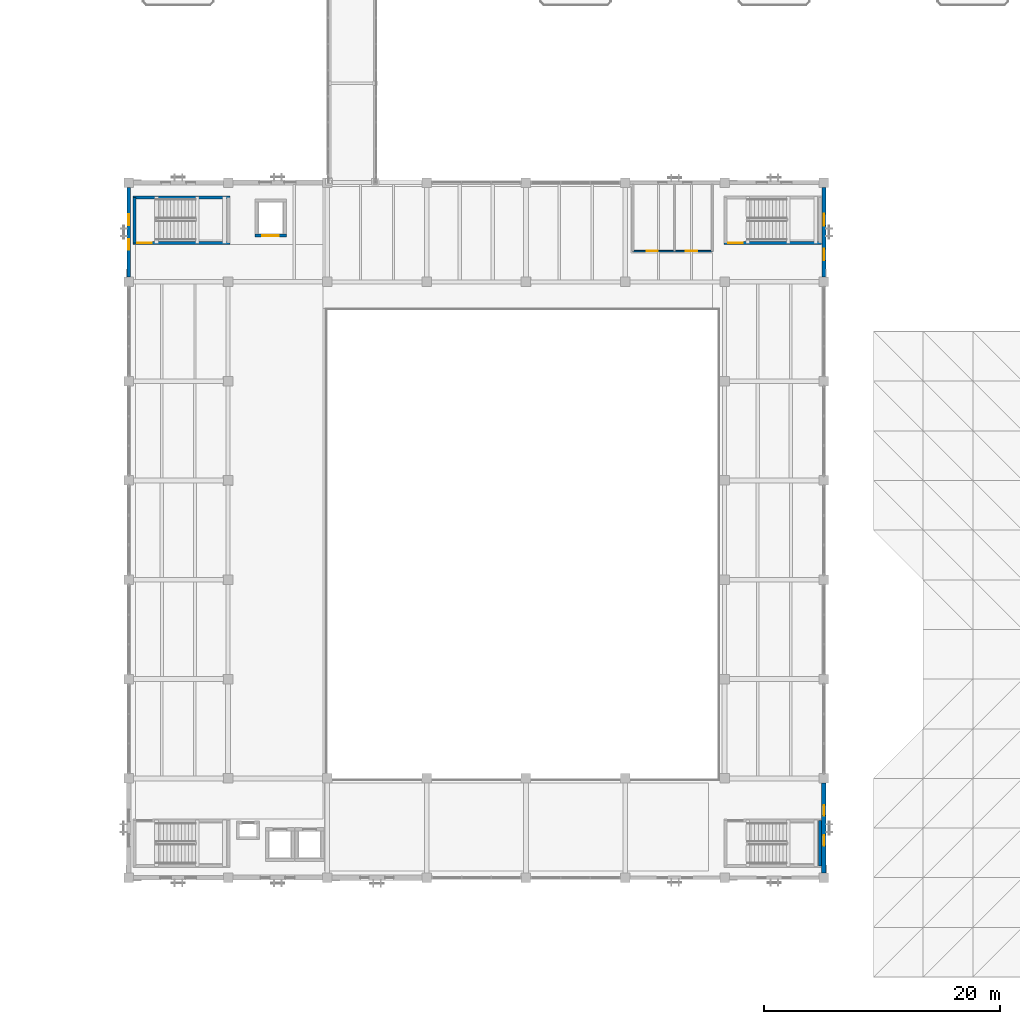
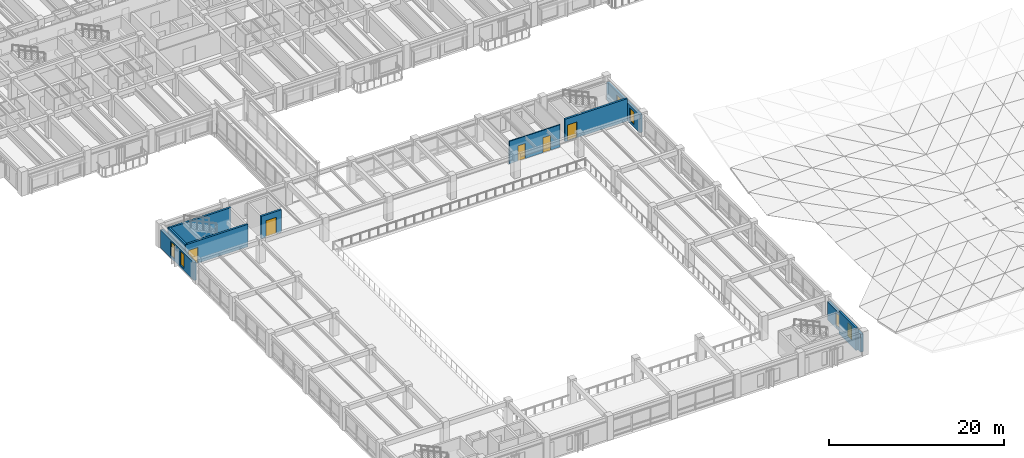
# One storey, part 82 of 123: 10 walls, 6 windows, 5 doors, 11 openings.
"""IFC4 building model written with IfcOpenShell, lengths in metres."""

from ifc_helpers import new_model, si_unit, direction, frame, frame_2d, origin, place, context, subcontext, project, spatial, rectangle, extrude, material, layer, layer_set, type_object, element, fill, save


model = new_model("IFC4")

# Units and contexts
model_context = context("Model", 3, precision=1e-05, world=origin(), true_north=direction((0.0, 1.0)))
body_context = subcontext(model_context, "Body", "Model", "MODEL_VIEW")
ifc_project = project(units=[si_unit("LENGTHUNIT", "METRE"), si_unit("AREAUNIT", "SQUARE_METRE"), si_unit("VOLUMEUNIT", "CUBIC_METRE"), si_unit("PLANEANGLEUNIT", "RADIAN"), si_unit("MASSUNIT", "GRAM", prefix="KILO")], contexts=[model_context])

# Site, building, storey
site_placement = place(None, origin())
site = spatial("IfcSite", under=ifc_project, at=site_placement, CompositionType="ELEMENT")
building_placement = place(site_placement, origin())
building = spatial("IfcBuilding", under=site, at=building_placement, Name="Cumbredor Promenade Congress Hotel", CompositionType="ELEMENT")
storey_placement = place(building_placement, frame((0.0, 0.0, 11.760009765625)))
storey = spatial("IfcBuildingStorey", under=building, at=storey_placement, Name="L03", CompositionType="ELEMENT", Elevation=11.760009765625)

# Wall, openings, windows
ifc_material_1 = material(Name="Concrete C40/50", Category="concrete")
ifc_layer_1 = layer(ifc_material_1, 0.324951171875, Name="Concrete C40/50", Category="concrete")
ifc_layer_set_1 = layer_set([ifc_layer_1], Name="Concrete C40/50")
wall_type_1 = type_object("IfcWallType", Name="WL-EXT-325", PredefinedType="SOLIDWALL", material=ifc_layer_set_1)
wall_1_placement = place(storey_placement, frame((8.39990234375, 59.200927734375, 0.0), z_axis=(0.0, 0.0, 1.0), x_axis=(0.0, 1.0, 0.0)))
wall_1 = element("IfcWall", 1, at=wall_1_placement, inside=storey, type_object=wall_type_1, Name="L03 Plenary Congress Hall West Envelope Wall 7", PredefinedType="SOLIDWALL", context=body_context, shape_type="SweptSolid", body=[
    extrude(rectangle(XDim=7.59814453125, YDim=0.324951171875, at=frame_2d((3.799072265625, 0.0))), origin(), (0.0, 0.0, 1.0), 2.493896484375),
])
opening_1_placement = place(wall_1_placement, frame((2.299072265625, 0.0, 0.300048828125)))
opening_1 = element("IfcOpeningElement", 2, at=opening_1_placement, cuts=wall_1, Name="Opening WN-52", PredefinedType="OPENING", context=body_context, shape_type="SweptSolid", body=[
    extrude(rectangle(XDim=0.89990234375, YDim=1.949951171875, at=frame_2d((0.449951171875, 0.97509765625))), frame((0.0, 0.17236328125, 0.0), z_axis=(0.0, -1.0, 0.0), x_axis=(1.0, 0.0, 0.0)), (0.0, 0.0, 1.0), 0.344970703125),
])
opening_2_placement = place(wall_1_placement, frame((4.39892578125, 0.0, 0.300048828125)))
opening_2 = element("IfcOpeningElement", 3, at=opening_2_placement, cuts=wall_1, Name="Opening WN-52", PredefinedType="OPENING", context=body_context, shape_type="SweptSolid", body=[
    extrude(rectangle(XDim=0.89990234375, YDim=1.949951171875, at=frame_2d((0.449951171875, 0.97509765625))), frame((0.0, 0.17236328125, 0.0), z_axis=(0.0, -1.0, 0.0), x_axis=(1.0, 0.0, 0.0)), (0.0, 0.0, 1.0), 0.344970703125),
])
ifc_material_2 = material(Name="Thermally broken anodized aluminium and low-E glass", Category="aluminium")
window_type_1 = type_object("IfcWindowType", Name="Vertical Slot Window WN-52 900x1950", PartitioningType="SINGLE_PANEL", PredefinedType="WINDOW", material=ifc_material_2)
window_1_placement = place(opening_1_placement, origin())
window_1 = element("IfcWindow", 4, at=window_1_placement, inside=storey, type_object=window_type_1, Name="L03 Vertical Slot Window 0356", OverallHeight=1.949951171875, OverallWidth=0.89990234375, PartitioningType="SINGLE_PANEL", PredefinedType="WINDOW", context=body_context, shape_type="SweptSolid", body=[
    extrude(rectangle(XDim=0.89990234375, YDim=1.949951171875, at=frame_2d((0.449951171875, 0.97509765625))), frame((0.0, 0.030029296875, 0.0), z_axis=(0.0, -1.0, 0.0), x_axis=(1.0, 0.0, 0.0)), (0.0, 0.0, 1.0), 0.06005859375),
])
fill(opening_1, window_1)
window_2_placement = place(opening_2_placement, origin())
window_2 = element("IfcWindow", 5, at=window_2_placement, inside=storey, type_object=window_type_1, Name="L03 Vertical Slot Window 0357", OverallHeight=1.949951171875, OverallWidth=0.89990234375, PartitioningType="SINGLE_PANEL", PredefinedType="WINDOW", context=body_context, shape_type="SweptSolid", body=[
    extrude(rectangle(XDim=0.89990234375, YDim=1.949951171875, at=frame_2d((0.449951171875, 0.97509765625))), frame((0.0, 0.030029296875, 0.0), z_axis=(0.0, -1.0, 0.0), x_axis=(1.0, 0.0, 0.0)), (0.0, 0.0, 1.0), 0.06005859375),
])
fill(opening_2, window_2)

wall_2_placement = place(storey_placement, frame((67.199951171875, 59.200927734375, 0.0), z_axis=(0.0, 0.0, 1.0), x_axis=(0.0, 1.0, 0.0)))
wall_2 = element("IfcWall", 6, at=wall_2_placement, inside=storey, type_object=wall_type_1, Name="L03 Plenary Congress Hall East Envelope Wall 7", PredefinedType="SOLIDWALL", context=body_context, shape_type="SweptSolid", body=[
    extrude(rectangle(XDim=7.59814453125, YDim=0.324951171875, at=frame_2d((3.799072265625, 0.0))), origin(), (0.0, 0.0, 1.0), 2.493896484375),
])
opening_3_placement = place(wall_2_placement, frame((1.408935546875, 0.0, 0.300048828125)))
opening_3 = element("IfcOpeningElement", 7, at=opening_3_placement, cuts=wall_2, Name="Opening WN-64", PredefinedType="OPENING", context=body_context, shape_type="SweptSolid", body=[
    extrude(rectangle(XDim=0.97998046875, YDim=1.75, at=frame_2d((0.489990234375, 0.875))), frame((0.0, 0.17236328125, 0.0), z_axis=(0.0, -1.0, 0.0), x_axis=(1.0, 0.0, 0.0)), (0.0, 0.0, 1.0), 0.344970703125),
])
opening_4_placement = place(wall_2_placement, frame((4.35888671875, 0.0, 0.300048828125)))
opening_4 = element("IfcOpeningElement", 8, at=opening_4_placement, cuts=wall_2, Name="Opening WN-64", PredefinedType="OPENING", context=body_context, shape_type="SweptSolid", body=[
    extrude(rectangle(XDim=0.97998046875, YDim=1.75, at=frame_2d((0.489990234375, 0.875))), frame((0.0, 0.17236328125, 0.0), z_axis=(0.0, -1.0, 0.0), x_axis=(1.0, 0.0, 0.0)), (0.0, 0.0, 1.0), 0.344970703125),
])
window_type_2 = type_object("IfcWindowType", Name="Vertical Slot Window WN-64 980x1750", PartitioningType="SINGLE_PANEL", PredefinedType="WINDOW", material=ifc_material_2)
window_3_placement = place(opening_3_placement, origin())
window_3 = element("IfcWindow", 9, at=window_3_placement, inside=storey, type_object=window_type_2, Name="L03 Vertical Slot Window 0360", OverallHeight=1.75, OverallWidth=0.97998046875, PartitioningType="SINGLE_PANEL", PredefinedType="WINDOW", context=body_context, shape_type="SweptSolid", body=[
    extrude(rectangle(XDim=0.97998046875, YDim=1.75, at=frame_2d((0.489990234375, 0.875))), frame((0.0, 0.030029296875, 0.0), z_axis=(0.0, -1.0, 0.0), x_axis=(1.0, 0.0, 0.0)), (0.0, 0.0, 1.0), 0.06005859375),
])
fill(opening_3, window_3)
window_4_placement = place(opening_4_placement, origin())
window_4 = element("IfcWindow", 10, at=window_4_placement, inside=storey, type_object=window_type_2, Name="L03 Vertical Slot Window 0361", OverallHeight=1.75, OverallWidth=0.97998046875, PartitioningType="SINGLE_PANEL", PredefinedType="WINDOW", context=body_context, shape_type="SweptSolid", body=[
    extrude(rectangle(XDim=0.97998046875, YDim=1.75, at=frame_2d((0.489990234375, 0.875))), frame((0.0, 0.030029296875, 0.0), z_axis=(0.0, -1.0, 0.0), x_axis=(1.0, 0.0, 0.0)), (0.0, 0.0, 1.0), 0.06005859375),
])
fill(opening_4, window_4)

ifc_layer_2 = layer(ifc_material_1, 0.3798828125, Name="Concrete C40/50", Category="concrete")
ifc_layer_set_2 = layer_set([ifc_layer_2], Name="Concrete C40/50")
wall_type_2 = type_object("IfcWallType", Name="WL-EXT-380", PredefinedType="SOLIDWALL", material=ifc_layer_set_2)
wall_3_placement = place(storey_placement, frame((67.199951171875, 8.801025390625, 0.0), z_axis=(0.0, 0.0, 1.0), x_axis=(0.0, 1.0, 0.0)))
wall_3 = element("IfcWall", 11, at=wall_3_placement, inside=storey, type_object=wall_type_2, Name="L03 Plenary Congress Hall East Envelope Wall 1", PredefinedType="SOLIDWALL", context=body_context, shape_type="SweptSolid", body=[
    extrude(rectangle(XDim=7.597900390625, YDim=0.3798828125, at=frame_2d((3.798828125, 0.0))), origin(), (0.0, 0.0, 1.0), 2.493896484375),
])
opening_5_placement = place(wall_3_placement, frame((2.299072265625, 0.0, 0.300048828125)))
opening_5 = element("IfcOpeningElement", 12, at=opening_5_placement, cuts=wall_3, Name="Opening WN-48", PredefinedType="OPENING", context=body_context, shape_type="SweptSolid", body=[
    extrude(rectangle(XDim=0.89990234375, YDim=1.85009765625, at=frame_2d((0.449951171875, 0.925048828125))), frame((0.0, 0.199951171875, 0.0), z_axis=(0.0, -1.0, 0.0), x_axis=(1.0, 0.0, 0.0)), (0.0, 0.0, 1.0), 0.39990234375),
])
opening_6_placement = place(wall_3_placement, frame((4.84912109375, 0.0, 0.300048828125)))
opening_6 = element("IfcOpeningElement", 13, at=opening_6_placement, cuts=wall_3, Name="Opening WN-48", PredefinedType="OPENING", context=body_context, shape_type="SweptSolid", body=[
    extrude(rectangle(XDim=0.89990234375, YDim=1.85009765625, at=frame_2d((0.449951171875, 0.925048828125))), frame((0.0, 0.199951171875, 0.0), z_axis=(0.0, -1.0, 0.0), x_axis=(1.0, 0.0, 0.0)), (0.0, 0.0, 1.0), 0.39990234375),
])
window_type_3 = type_object("IfcWindowType", Name="Vertical Slot Window WN-48 900x1850", PartitioningType="SINGLE_PANEL", PredefinedType="WINDOW", material=ifc_material_2)
window_5_placement = place(opening_5_placement, origin())
window_5 = element("IfcWindow", 14, at=window_5_placement, inside=storey, type_object=window_type_3, Name="L03 Vertical Slot Window 0358", OverallHeight=1.85009765625, OverallWidth=0.89990234375, PartitioningType="SINGLE_PANEL", PredefinedType="WINDOW", context=body_context, shape_type="SweptSolid", body=[
    extrude(rectangle(XDim=0.89990234375, YDim=1.85009765625, at=frame_2d((0.449951171875, 0.925048828125))), frame((0.0, 0.030029296875, 0.0), z_axis=(0.0, -1.0, 0.0), x_axis=(1.0, 0.0, 0.0)), (0.0, 0.0, 1.0), 0.06005859375),
])
fill(opening_5, window_5)
window_6_placement = place(opening_6_placement, origin())
window_6 = element("IfcWindow", 15, at=window_6_placement, inside=storey, type_object=window_type_3, Name="L03 Vertical Slot Window 0359", OverallHeight=1.85009765625, OverallWidth=0.89990234375, PartitioningType="SINGLE_PANEL", PredefinedType="WINDOW", context=body_context, shape_type="SweptSolid", body=[
    extrude(rectangle(XDim=0.89990234375, YDim=1.85009765625, at=frame_2d((0.449951171875, 0.925048828125))), frame((0.0, 0.030029296875, 0.0), z_axis=(0.0, -1.0, 0.0), x_axis=(1.0, 0.0, 0.0)), (0.0, 0.0, 1.0), 0.06005859375),
])
fill(opening_6, window_6)

# Wall, openings, doors
ifc_material_3 = material(Name="Acoustic gypsum partition on steel studs", Category="steel")
ifc_layer_3 = layer(ifc_material_3, 0.139892578125, Name="Acoustic gypsum partition on steel studs", Category="steel")
ifc_layer_set_3 = layer_set([ifc_layer_3], Name="Acoustic gypsum partition on steel studs")
wall_type_3 = type_object("IfcWallType", Name="WL-PART-140", PredefinedType="PARTITIONING", material=ifc_layer_set_3)
wall_4_placement = place(storey_placement, frame((51.050048828125, 61.39990234375, 0.0), z_axis=(0.0, 0.0, 1.0), x_axis=(1.0, 0.0, 0.0)))
wall_4 = element("IfcWall", 16, at=wall_4_placement, inside=storey, type_object=wall_type_3, Name="L03 Interior Partition W-L03-V1-WC", PredefinedType="PARTITIONING", context=body_context, shape_type="SweptSolid", body=[
    extrude(rectangle(XDim=6.699951171875, YDim=0.139892578125, at=frame_2d((3.35009765625, 0.0))), origin(), (0.0, 0.0, 1.0), 3.119873046875),
])
opening_7_placement = place(wall_4_placement, frame((1.14990234375, 0.0, 0.0)))
opening_7 = element("IfcOpeningElement", 17, at=opening_7_placement, cuts=wall_4, Name="Opening ID-02", PredefinedType="OPENING", context=body_context, shape_type="SweptSolid", body=[
    extrude(rectangle(XDim=0.949951171875, YDim=2.10009765625, at=frame_2d((0.47509765625, 1.050048828125))), frame((0.0, 0.080078125, 0.0), z_axis=(0.0, -1.0, 0.0), x_axis=(1.0, 0.0, 0.0)), (0.0, 0.0, 1.0), 0.159912109375),
])
opening_8_placement = place(wall_4_placement, frame((4.449951171875, 0.0, 0.0)))
opening_8 = element("IfcOpeningElement", 18, at=opening_8_placement, cuts=wall_4, Name="Opening ID-03", PredefinedType="OPENING", context=body_context, shape_type="SweptSolid", body=[
    extrude(rectangle(XDim=1.0, YDim=2.10009765625, at=frame_2d((0.5, 1.050048828125))), frame((0.0, 0.080078125, 0.0), z_axis=(0.0, -1.0, 0.0), x_axis=(1.0, 0.0, 0.0)), (0.0, 0.0, 1.0), 0.159912109375),
])
ifc_material_4 = material(Name="Kiln-dried tropical hardwood", Category="wood")
door_type_1 = type_object("IfcDoorType", Name="DR-ACC-1000", OperationType="NOTDEFINED", PredefinedType="DOOR", material=ifc_material_4)
door_1_placement = place(opening_8_placement, origin())
door_1 = element("IfcDoor", 19, at=door_1_placement, inside=storey, type_object=door_type_1, Name="L03 Interior Door W-L03-V1-WC-02", OperationType="SINGLE_SWING_LEFT", OverallHeight=2.10009765625, OverallWidth=1.0, PredefinedType="DOOR", context=body_context, shape_type="SweptSolid", body=[
    extrude(rectangle(XDim=1.0, YDim=2.10009765625, at=frame_2d((0.5, 1.050048828125))), frame((0.0, 0.02490234375, 0.0), z_axis=(0.0, -1.0, 0.0), x_axis=(1.0, 0.0, 0.0)), (0.0, 0.0, 1.0), 0.050048828125),
])
fill(opening_8, door_1)
door_type_2 = type_object("IfcDoorType", Name="DR-INT-950", OperationType="NOTDEFINED", PredefinedType="DOOR", material=ifc_material_4)
door_2_placement = place(opening_7_placement, origin())
door_2 = element("IfcDoor", 20, at=door_2_placement, inside=storey, type_object=door_type_2, Name="L03 Interior Door W-L03-V1-WC-01", OperationType="SINGLE_SWING_RIGHT", OverallHeight=2.10009765625, OverallWidth=0.949951171875, PredefinedType="DOOR", context=body_context, shape_type="SweptSolid", body=[
    extrude(rectangle(XDim=0.949951171875, YDim=2.10009765625, at=frame_2d((0.47509765625, 1.050048828125))), frame((0.0, 0.02490234375, 0.0), z_axis=(0.0, -1.0, 0.0), x_axis=(1.0, 0.0, 0.0)), (0.0, 0.0, 1.0), 0.050048828125),
])
fill(opening_7, door_2)

# Wall
ifc_layer_4 = layer(ifc_material_1, 0.2548828125, Name="Concrete C40/50", Category="concrete")
ifc_layer_set_4 = layer_set([ifc_layer_4], Name="Concrete C40/50")
wall_type_4 = type_object("IfcWallType", Name="WL-SHAFT-250", PredefinedType="SOLIDWALL", material=ifc_layer_set_4)
wall_5_placement = place(storey_placement, frame((66.85009765625, 9.3798828125, 0.0), z_axis=(0.0, 0.0, 1.0), x_axis=(0.0, 1.0, 0.0)))
element("IfcWall", 21, at=wall_5_placement, inside=storey, type_object=wall_type_4, Name="STAIR-ST-05-L03 Shaft Wall East", PredefinedType="SOLIDWALL", context=body_context, shape_type="SweptSolid", body=[
    extrude(rectangle(XDim=3.8701171875, YDim=0.2548828125, at=frame_2d((1.93505859375, 0.0))), origin(), (0.0, 0.0, 1.0), 3.119873046875),
])

# Wall, opening, door
wall_6_placement = place(storey_placement, frame((8.75244140625, 62.10009765625, 0.0), z_axis=(0.0, 0.0, 1.0), x_axis=(1.0, 0.0, 0.0)))
wall_6 = element("IfcWall", 22, at=wall_6_placement, inside=storey, type_object=wall_type_4, Name="STAIR-ST-06-L03 Shaft Wall South", PredefinedType="SOLIDWALL", context=body_context, shape_type="SweptSolid", body=[
    extrude(rectangle(XDim=8.22509765625, YDim=0.2548828125, at=frame_2d((4.112548828125, 0.0))), origin(), (0.0, 0.0, 1.0), 3.119873046875),
])
opening_9_placement = place(wall_6_placement, frame((0.35009765625, 0.0, 0.0)))
opening_9 = element("IfcOpeningElement", 23, at=opening_9_placement, cuts=wall_6, Name="Opening SD-02", PredefinedType="OPENING", context=body_context, shape_type="SweptSolid", body=[
    extrude(rectangle(XDim=1.25, YDim=2.199951171875, at=frame_2d((0.625, 1.10009765625))), frame((0.0, 0.137451171875, 0.0), z_axis=(0.0, -1.0, 0.0), x_axis=(1.0, 0.0, 0.0)), (0.0, 0.0, 1.0), 0.27490234375),
])
ifc_material_5 = material(Name="Painted galvanized steel fire door", Category="steel")
door_type_3 = type_object("IfcDoorType", Name="DR-STAIR-FD90-1250", OperationType="NOTDEFINED", PredefinedType="DOOR", material=ifc_material_5)
door_3_placement = place(opening_9_placement, origin())
door_3 = element("IfcDoor", 24, at=door_3_placement, inside=storey, type_object=door_type_3, Name="L03 Protected Exit Stair ST-06 Door", OperationType="SINGLE_SWING_RIGHT", OverallHeight=2.199951171875, OverallWidth=1.25, PredefinedType="DOOR", context=body_context, shape_type="SweptSolid", body=[
    extrude(rectangle(XDim=1.25, YDim=2.199951171875, at=frame_2d((0.625, 1.10009765625))), frame((0.0, 0.02490234375, 0.0), z_axis=(0.0, -1.0, 0.0), x_axis=(1.0, 0.0, 0.0)), (0.0, 0.0, 1.0), 0.050048828125),
])
fill(opening_9, door_3)

# Walls
wall_7_placement = place(storey_placement, frame((8.75244140625, 65.949951171875, 0.0), z_axis=(0.0, 0.0, 1.0), x_axis=(1.0, 0.0, 0.0)))
element("IfcWall", 25, at=wall_7_placement, inside=storey, type_object=wall_type_4, Name="STAIR-ST-06-L03 Shaft Wall North", PredefinedType="SOLIDWALL", context=body_context, shape_type="SweptSolid", body=[
    extrude(rectangle(XDim=8.22509765625, YDim=0.2548828125, at=frame_2d((4.112548828125, 0.0))), origin(), (0.0, 0.0, 1.0), 3.119873046875),
])
wall_8_placement = place(storey_placement, frame((8.8798828125, 62.10009765625, 0.0), z_axis=(0.0, 0.0, 1.0), x_axis=(0.0, 1.0, 0.0)))
element("IfcWall", 26, at=wall_8_placement, inside=storey, type_object=wall_type_4, Name="STAIR-ST-06-L03 Shaft Wall West", PredefinedType="SOLIDWALL", context=body_context, shape_type="SweptSolid", body=[
    extrude(rectangle(XDim=3.849853515625, YDim=0.2548828125, at=frame_2d((1.9248046875, 0.0))), origin(), (0.0, 0.0, 1.0), 3.119873046875),
])

# Wall, opening, door
wall_9_placement = place(storey_placement, frame((58.75244140625, 62.10009765625, 0.0), z_axis=(0.0, 0.0, 1.0), x_axis=(1.0, 0.0, 0.0)))
wall_9 = element("IfcWall", 27, at=wall_9_placement, inside=storey, type_object=wall_type_4, Name="STAIR-ST-07-L03 Shaft Wall South", PredefinedType="SOLIDWALL", context=body_context, shape_type="SweptSolid", body=[
    extrude(rectangle(XDim=8.22509765625, YDim=0.2548828125, at=frame_2d((4.112548828125, 0.0))), origin(), (0.0, 0.0, 1.0), 3.119873046875),
])
opening_10_placement = place(wall_9_placement, frame((0.35009765625, 0.0, 0.0)))
opening_10 = element("IfcOpeningElement", 28, at=opening_10_placement, cuts=wall_9, Name="Opening SD-02", PredefinedType="OPENING", context=body_context, shape_type="SweptSolid", body=[
    extrude(rectangle(XDim=1.25, YDim=2.199951171875, at=frame_2d((0.625, 1.10009765625))), frame((0.0, 0.137451171875, 0.0), z_axis=(0.0, -1.0, 0.0), x_axis=(1.0, 0.0, 0.0)), (0.0, 0.0, 1.0), 0.27490234375),
])
door_4_placement = place(opening_10_placement, origin())
door_4 = element("IfcDoor", 29, at=door_4_placement, inside=storey, type_object=door_type_3, Name="L03 Protected Exit Stair ST-07 Door", OperationType="SINGLE_SWING_RIGHT", OverallHeight=2.199951171875, OverallWidth=1.25, PredefinedType="DOOR", context=body_context, shape_type="SweptSolid", body=[
    extrude(rectangle(XDim=1.25, YDim=2.199951171875, at=frame_2d((0.625, 1.10009765625))), frame((0.0, 0.02490234375, 0.0), z_axis=(0.0, -1.0, 0.0), x_axis=(1.0, 0.0, 0.0)), (0.0, 0.0, 1.0), 0.050048828125),
])
fill(opening_10, door_4)

wall_10_placement = place(storey_placement, frame((19.072509765625, 62.699951171875, 0.0), z_axis=(0.0, 0.0, 1.0), x_axis=(1.0, 0.0, 0.0)))
wall_10 = element("IfcWall", 30, at=wall_10_placement, inside=storey, type_object=wall_type_4, Name="SHAFT-SV-01-L03 Shaft Wall South", PredefinedType="SOLIDWALL", context=body_context, shape_type="SweptSolid", body=[
    extrude(rectangle(XDim=2.655029296875, YDim=0.2548828125, at=frame_2d((1.32763671875, 0.0))), origin(), (0.0, 0.0, 1.0), 3.119873046875),
])
opening_11_placement = place(wall_10_placement, frame((0.62744140625, 0.0, 0.0)))
opening_11 = element("IfcOpeningElement", 31, at=opening_11_placement, cuts=wall_10, Name="Opening LD-03", PredefinedType="OPENING", context=body_context, shape_type="SweptSolid", body=[
    extrude(rectangle(XDim=1.39990234375, YDim=2.300048828125, at=frame_2d((0.699951171875, 1.14990234375))), frame((0.0, 0.137451171875, 0.0), z_axis=(0.0, -1.0, 0.0), x_axis=(1.0, 0.0, 0.0)), (0.0, 0.0, 1.0), 0.27490234375),
])
ifc_material_6 = material(Name="Brushed stainless steel", Category="steel")
door_type_4 = type_object("IfcDoorType", Name="Service Lift Sliding Door LD-03 1400x2300", OperationType="DOUBLE_DOOR_SLIDING", PredefinedType="DOOR", material=ifc_material_6)
door_5_placement = place(opening_11_placement, origin())
door_5 = element("IfcDoor", 32, at=door_5_placement, inside=storey, type_object=door_type_4, Name="L03 Plenary Stage Goods Lift SV-01 Sliding Landing Door", OperationType="DOUBLE_DOOR_SLIDING", OverallHeight=2.300048828125, OverallWidth=1.39990234375, PredefinedType="DOOR", context=body_context, shape_type="SweptSolid", body=[
    extrude(rectangle(XDim=1.39990234375, YDim=2.300048828125, at=frame_2d((0.699951171875, 1.14990234375))), frame((0.0, 0.02490234375, 0.0), z_axis=(0.0, -1.0, 0.0), x_axis=(1.0, 0.0, 0.0)), (0.0, 0.0, 1.0), 0.050048828125),
])
fill(opening_11, door_5)

save(model, "model.ifc")
